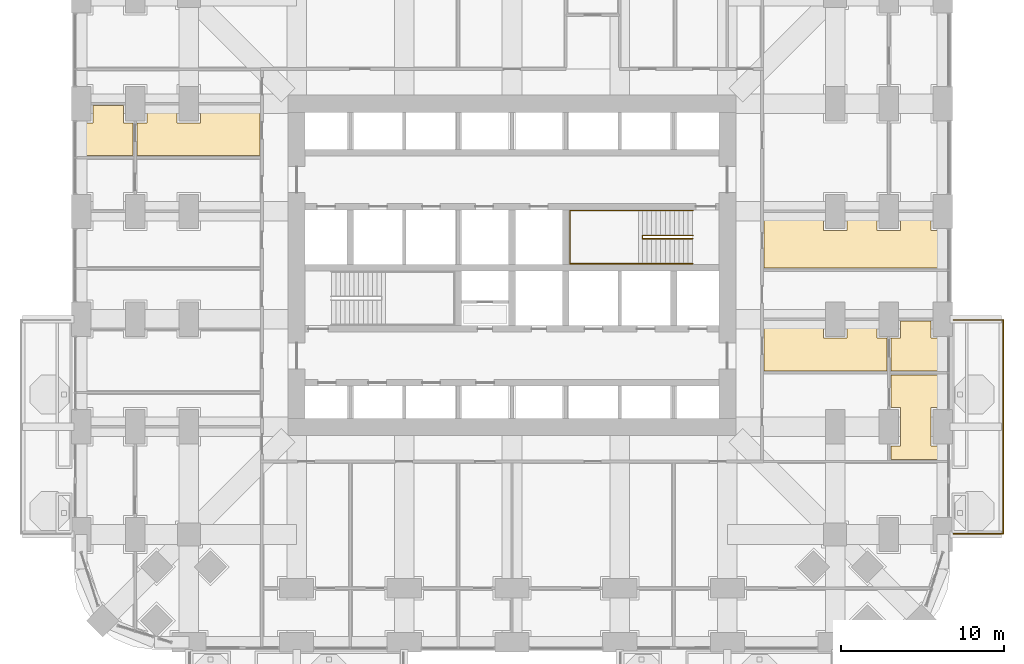
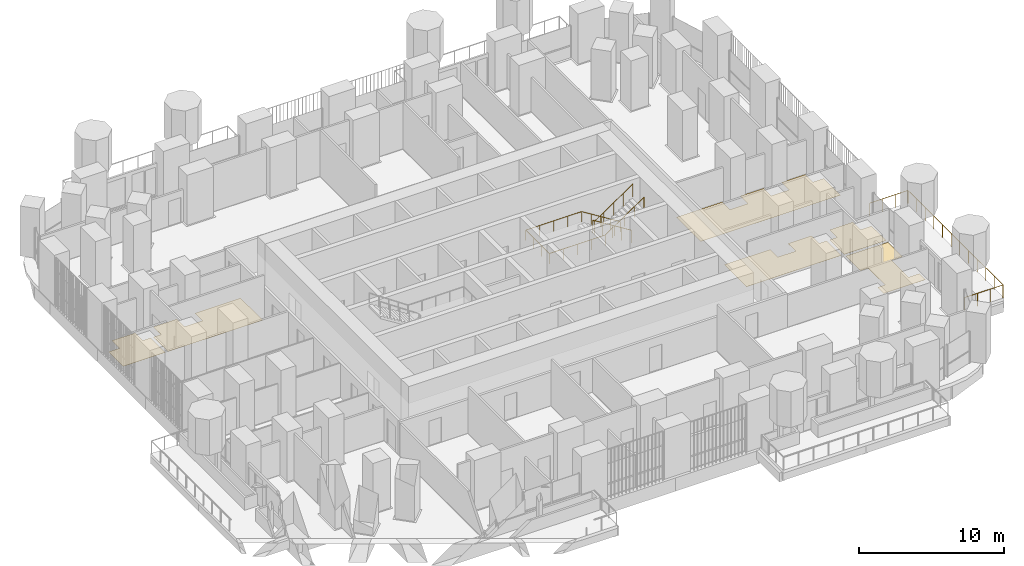
# One storey, part 25 of 27: 6 coverings, 3 railings.
"""IFC4 building model written with IfcOpenShell, lengths in metres."""

from ifc_helpers import new_model, si_unit, direction, frame, origin, place, context, subcontext, project, spatial, polyline, outline, extrude, material, layer, layer_set, type_object, element, save


model = new_model("IFC4")

# Units and contexts
model_context = context("Model", 3, precision=1e-05, world=origin(), true_north=direction((0.0, 1.0)))
body_context = subcontext(model_context, "Body", "Model", "MODEL_VIEW")
ifc_project = project(units=[si_unit("LENGTHUNIT", "METRE"), si_unit("AREAUNIT", "SQUARE_METRE"), si_unit("VOLUMEUNIT", "CUBIC_METRE"), si_unit("PLANEANGLEUNIT", "RADIAN"), si_unit("MASSUNIT", "GRAM", prefix="KILO")], contexts=[model_context])

# Site, building, storey
site_placement = place(None, origin())
site = spatial("IfcSite", under=ifc_project, at=site_placement, CompositionType="ELEMENT")
building_placement = place(site_placement, origin())
building = spatial("IfcBuilding", under=site, at=building_placement, Name="Cobogo Forest Laboratory Tower", CompositionType="ELEMENT")
storey_placement = place(building_placement, frame((0.0, 0.0, 38.10009765625)))
storey = spatial("IfcBuildingStorey", under=building, at=storey_placement, Name="L08", CompositionType="ELEMENT", Elevation=38.10009765625)

# Railing
ifc_material_1 = material(Name="Laminated glass balustrade", Category="glass")
railing_type_1 = type_object("IfcRailingType", Name="BG1 glass balustrade 1100", PredefinedType="GUARDRAIL", material=ifc_material_1)
railing_1_placement = place(storey_placement, frame((53.449951171875, 6.64990234375, 0.0)))
element("IfcRailing", 1, at=railing_1_placement, inside=storey, type_object=railing_type_1, Name="Balcony balustrade BAL-E1 L08", PredefinedType="GUARDRAIL", context=body_context, shape_type="SweptSolid", body=[
    extrude(outline(polyline([(0.022216796875, 0.00927734375), (0.00927734375, 0.022216796875), (-0.00927734375, 0.022216796875), (-0.022216796875, 0.00927734375), (-0.022216796875, -0.00927734375), (-0.00927734375, -0.022216796875), (0.00927734375, -0.022216796875), (0.022216796875, -0.00927734375), (0.022216796875, 0.00927734375)])), frame((0.0, 0.0, 1.077880859375), z_axis=(1.0, 0.0, 0.0), x_axis=(0.0, 1.0, 0.0)), (0.0, 0.0, 1.0), 3.050048828125),
    extrude(outline(polyline([(0.022216796875, 0.00927734375), (0.00927734375, 0.022216796875), (-0.00927734375, 0.022216796875), (-0.022216796875, 0.00927734375), (-0.022216796875, -0.00927734375), (-0.00927734375, -0.022216796875), (0.00927734375, -0.022216796875), (0.022216796875, -0.00927734375), (0.022216796875, 0.00927734375)])), frame((3.050048828125, 0.0, 1.077880859375), z_axis=(0.0, 1.0, 0.0), x_axis=(-1.0, 0.0, 0.0)), (0.0, 0.0, 1.0), 13.10009765625),
    extrude(outline(polyline([(0.022216796875, 0.00927734375), (0.00927734375, 0.022216796875), (-0.00927734375, 0.022216796875), (-0.022216796875, 0.00927734375), (-0.022216796875, -0.00927734375), (-0.00927734375, -0.022216796875), (0.00927734375, -0.022216796875), (0.022216796875, -0.00927734375), (0.022216796875, 0.00927734375)])), frame((3.050048828125, 13.10009765625, 1.077880859375), z_axis=(-1.0, 0.0, 0.0), x_axis=(0.0, -1.0, 0.0)), (0.0, 0.0, 1.0), 3.050048828125),
    extrude(outline(polyline([(0.019287109375, 0.008056640625), (0.008056640625, 0.019287109375), (-0.008056640625, 0.019287109375), (-0.019287109375, 0.008056640625), (-0.019287109375, -0.008056640625), (-0.008056640625, -0.019287109375), (0.008056640625, -0.019287109375), (0.019287109375, -0.008056640625), (0.019287109375, 0.008056640625)])), origin(), (0.0, 0.0, 1.0), 1.077880859375),
    extrude(outline(polyline([(0.019287109375, 0.008056640625), (0.008056640625, 0.019287109375), (-0.008056640625, 0.019287109375), (-0.019287109375, 0.008056640625), (-0.019287109375, -0.008056640625), (-0.008056640625, -0.019287109375), (0.008056640625, -0.019287109375), (0.019287109375, -0.008056640625), (0.019287109375, 0.008056640625)])), frame((1.0166015625, 0.0, 0.0)), (0.0, 0.0, 1.0), 1.077880859375),
    extrude(outline(polyline([(0.019287109375, 0.008056640625), (0.008056640625, 0.019287109375), (-0.008056640625, 0.019287109375), (-0.019287109375, 0.008056640625), (-0.019287109375, -0.008056640625), (-0.008056640625, -0.019287109375), (0.008056640625, -0.019287109375), (0.019287109375, -0.008056640625), (0.019287109375, 0.008056640625)])), frame((2.033447265625, 0.0, 0.0)), (0.0, 0.0, 1.0), 1.077880859375),
    extrude(outline(polyline([(0.019287109375, 0.008056640625), (0.008056640625, 0.019287109375), (-0.008056640625, 0.019287109375), (-0.019287109375, 0.008056640625), (-0.019287109375, -0.008056640625), (-0.008056640625, -0.019287109375), (0.008056640625, -0.019287109375), (0.019287109375, -0.008056640625), (0.019287109375, 0.008056640625)])), frame((3.050048828125, 0.0, 0.0)), (0.0, 0.0, 1.0), 1.077880859375),
    extrude(outline(polyline([(0.019287109375, 0.008056640625), (0.008056640625, 0.019287109375), (-0.008056640625, 0.019287109375), (-0.019287109375, 0.008056640625), (-0.019287109375, -0.008056640625), (-0.008056640625, -0.019287109375), (0.008056640625, -0.019287109375), (0.019287109375, -0.008056640625), (0.019287109375, 0.008056640625)])), frame((3.050048828125, 1.19091796875, 0.0)), (0.0, 0.0, 1.0), 1.077880859375),
    extrude(outline(polyline([(0.019287109375, 0.008056640625), (0.008056640625, 0.019287109375), (-0.008056640625, 0.019287109375), (-0.019287109375, 0.008056640625), (-0.019287109375, -0.008056640625), (-0.008056640625, -0.019287109375), (0.008056640625, -0.019287109375), (0.019287109375, -0.008056640625), (0.019287109375, 0.008056640625)])), frame((3.050048828125, 2.3818359375, 0.0)), (0.0, 0.0, 1.0), 1.077880859375),
    extrude(outline(polyline([(0.019287109375, 0.008056640625), (0.008056640625, 0.019287109375), (-0.008056640625, 0.019287109375), (-0.019287109375, 0.008056640625), (-0.019287109375, -0.008056640625), (-0.008056640625, -0.019287109375), (0.008056640625, -0.019287109375), (0.019287109375, -0.008056640625), (0.019287109375, 0.008056640625)])), frame((3.050048828125, 3.57275390625, 0.0)), (0.0, 0.0, 1.0), 1.077880859375),
    extrude(outline(polyline([(0.019287109375, 0.008056640625), (0.008056640625, 0.019287109375), (-0.008056640625, 0.019287109375), (-0.019287109375, 0.008056640625), (-0.019287109375, -0.008056640625), (-0.008056640625, -0.019287109375), (0.008056640625, -0.019287109375), (0.019287109375, -0.008056640625), (0.019287109375, 0.008056640625)])), frame((3.050048828125, 4.763671875, 0.0)), (0.0, 0.0, 1.0), 1.077880859375),
    extrude(outline(polyline([(0.019287109375, 0.008056640625), (0.008056640625, 0.019287109375), (-0.008056640625, 0.019287109375), (-0.019287109375, 0.008056640625), (-0.019287109375, -0.008056640625), (-0.008056640625, -0.019287109375), (0.008056640625, -0.019287109375), (0.019287109375, -0.008056640625), (0.019287109375, 0.008056640625)])), frame((3.050048828125, 5.95458984375, 0.0)), (0.0, 0.0, 1.0), 1.077880859375),
    extrude(outline(polyline([(0.019287109375, 0.008056640625), (0.008056640625, 0.019287109375), (-0.008056640625, 0.019287109375), (-0.019287109375, 0.008056640625), (-0.019287109375, -0.008056640625), (-0.008056640625, -0.019287109375), (0.008056640625, -0.019287109375), (0.019287109375, -0.008056640625), (0.019287109375, 0.008056640625)])), frame((3.050048828125, 7.1455078125, 0.0)), (0.0, 0.0, 1.0), 1.077880859375),
    extrude(outline(polyline([(0.019287109375, 0.008056640625), (0.008056640625, 0.019287109375), (-0.008056640625, 0.019287109375), (-0.019287109375, 0.008056640625), (-0.019287109375, -0.008056640625), (-0.008056640625, -0.019287109375), (0.008056640625, -0.019287109375), (0.019287109375, -0.008056640625), (0.019287109375, 0.008056640625)])), frame((3.050048828125, 8.33642578125, 0.0)), (0.0, 0.0, 1.0), 1.077880859375),
    extrude(outline(polyline([(0.019287109375, 0.008056640625), (0.008056640625, 0.019287109375), (-0.008056640625, 0.019287109375), (-0.019287109375, 0.008056640625), (-0.019287109375, -0.008056640625), (-0.008056640625, -0.019287109375), (0.008056640625, -0.019287109375), (0.019287109375, -0.008056640625), (0.019287109375, 0.008056640625)])), frame((3.050048828125, 9.52734375, 0.0)), (0.0, 0.0, 1.0), 1.077880859375),
    extrude(outline(polyline([(0.019287109375, 0.008056640625), (0.008056640625, 0.019287109375), (-0.008056640625, 0.019287109375), (-0.019287109375, 0.008056640625), (-0.019287109375, -0.008056640625), (-0.008056640625, -0.019287109375), (0.008056640625, -0.019287109375), (0.019287109375, -0.008056640625), (0.019287109375, 0.008056640625)])), frame((3.050048828125, 10.71826171875, 0.0)), (0.0, 0.0, 1.0), 1.077880859375),
    extrude(outline(polyline([(0.019287109375, 0.008056640625), (0.008056640625, 0.019287109375), (-0.008056640625, 0.019287109375), (-0.019287109375, 0.008056640625), (-0.019287109375, -0.008056640625), (-0.008056640625, -0.019287109375), (0.008056640625, -0.019287109375), (0.019287109375, -0.008056640625), (0.019287109375, 0.008056640625)])), frame((3.050048828125, 11.9091796875, 0.0)), (0.0, 0.0, 1.0), 1.077880859375),
    extrude(outline(polyline([(0.019287109375, 0.008056640625), (0.008056640625, 0.019287109375), (-0.008056640625, 0.019287109375), (-0.019287109375, 0.008056640625), (-0.019287109375, -0.008056640625), (-0.008056640625, -0.019287109375), (0.008056640625, -0.019287109375), (0.019287109375, -0.008056640625), (0.019287109375, 0.008056640625)])), frame((3.050048828125, 13.10009765625, 0.0)), (0.0, 0.0, 1.0), 1.077880859375),
    extrude(outline(polyline([(0.019287109375, 0.008056640625), (0.008056640625, 0.019287109375), (-0.008056640625, 0.019287109375), (-0.019287109375, 0.008056640625), (-0.019287109375, -0.008056640625), (-0.008056640625, -0.019287109375), (0.008056640625, -0.019287109375), (0.019287109375, -0.008056640625), (0.019287109375, 0.008056640625)])), frame((2.033447265625, 13.10009765625, 0.0)), (0.0, 0.0, 1.0), 1.077880859375),
    extrude(outline(polyline([(0.019287109375, 0.008056640625), (0.008056640625, 0.019287109375), (-0.008056640625, 0.019287109375), (-0.019287109375, 0.008056640625), (-0.019287109375, -0.008056640625), (-0.008056640625, -0.019287109375), (0.008056640625, -0.019287109375), (0.019287109375, -0.008056640625), (0.019287109375, 0.008056640625)])), frame((1.0166015625, 13.10009765625, 0.0)), (0.0, 0.0, 1.0), 1.077880859375),
    extrude(outline(polyline([(0.019287109375, 0.008056640625), (0.008056640625, 0.019287109375), (-0.008056640625, 0.019287109375), (-0.019287109375, 0.008056640625), (-0.019287109375, -0.008056640625), (-0.008056640625, -0.019287109375), (0.008056640625, -0.019287109375), (0.019287109375, -0.008056640625), (0.019287109375, 0.008056640625)])), frame((0.0, 13.10009765625, 0.0)), (0.0, 0.0, 1.0), 1.077880859375),
])

# Coverings
ifc_material_2 = material(Name="Carpet tile on raised access floor", Category="flooring")
ifc_layer_1 = layer(ifc_material_2, 0.008056640625)
ifc_layer_set_1 = layer_set([ifc_layer_1], Name="CT1 carpet tile floor 8")
covering_type_1 = type_object("IfcCoveringType", Name="CT1 carpet tile floor 8", PredefinedType="FLOORING", material=ifc_layer_set_1)
covering_1_placement = place(storey_placement, origin())
element("IfcCovering", 2, at=covering_1_placement, inside=storey, type_object=covering_type_1, Name="Carpet floor L08-12", PredefinedType="FLOORING", context=body_context, shape_type="SweptSolid", body=[
    extrude(outline(polyline([(49.6201171875, 12.030029296875), (50.219970703125, 12.030029296875), (50.219970703125, 14.3701171875), (49.6201171875, 14.3701171875), (49.6201171875, 16.3798828125), (52.949951171875, 16.3798828125), (52.949951171875, 14.3701171875), (52.080078125, 14.3701171875), (52.080078125, 12.030029296875), (52.949951171875, 12.030029296875), (52.949951171875, 11.195068359375), (49.6201171875, 11.195068359375), (49.6201171875, 12.030029296875)])), origin(), (0.0, 0.0, 1.0), 0.0078125),
])
covering_2_placement = place(storey_placement, origin())
element("IfcCovering", 3, at=covering_2_placement, inside=storey, type_object=covering_type_1, Name="Carpet floor L08-14", PredefinedType="FLOORING", context=body_context, shape_type="SweptSolid", body=[
    extrude(outline(polyline([(49.6201171875, 18.6298828125), (50.219970703125, 18.6298828125), (50.219970703125, 19.679931640625), (52.080078125, 19.679931640625), (52.080078125, 18.6298828125), (52.949951171875, 18.6298828125), (52.949951171875, 16.6201171875), (49.6201171875, 16.6201171875), (49.6201171875, 18.6298828125)])), origin(), (0.0, 0.0, 1.0), 0.0078125),
])
covering_3_placement = place(storey_placement, origin())
element("IfcCovering", 4, at=covering_3_placement, inside=storey, type_object=covering_type_1, Name="Carpet floor L08-37", PredefinedType="FLOORING", context=body_context, shape_type="SweptSolid", body=[
    extrude(outline(polyline([(3.179931640625, 29.820068359375), (-0.14990234375, 29.820068359375), (-0.14990234375, 31.830078125), (0.719970703125, 31.830078125), (0.719970703125, 32.8798828125), (2.580078125, 32.8798828125), (2.580078125, 31.830078125), (3.179931640625, 31.830078125), (3.179931640625, 29.820068359375)])), origin(), (0.0, 0.0, 1.0), 0.0078125),
])

# Railings
ifc_material_3 = material(Name="Steel balustrade", Category="steel")
railing_type_2 = type_object("IfcRailingType", Name="GR stair guard 1100", PredefinedType="GUARDRAIL", material=ifc_material_3)
railing_2_placement = place(storey_placement, frame((37.47509765625, 24.929931640625, 0.1748046875)))
element("IfcRailing", 5, at=railing_2_placement, inside=storey, type_object=railing_type_2, Name="Stair guard ST2 L08", PredefinedType="GUARDRAIL", context=body_context, shape_type="SweptSolid", body=[
    extrude(outline(polyline([(0.022216796875, 0.00927734375), (0.00927734375, 0.022216796875), (-0.00927734375, 0.022216796875), (-0.022216796875, 0.00927734375), (-0.022216796875, -0.00927734375), (-0.00927734375, -0.022216796875), (0.00927734375, -0.022216796875), (0.022216796875, -0.00927734375), (0.022216796875, 0.00927734375)])), frame((0.0, 0.0, 1.077880859375), z_axis=(-0.847998304005, 0.0, 0.529998940003), x_axis=(0.0, -1.0, 0.0)), (0.0, 0.0, 1.0), 3.632080078125),
    extrude(outline(polyline([(0.022216796875, 0.00927734375), (0.00927734375, 0.022216796875), (-0.00927734375, 0.022216796875), (-0.022216796875, 0.00927734375), (-0.022216796875, -0.00927734375), (-0.00927734375, -0.022216796875), (0.00927734375, -0.022216796875), (0.022216796875, -0.00927734375), (0.022216796875, 0.00927734375)])), frame((-3.080078125, 0.0, 3.0029296875), z_axis=(0.0, -1.0, 0.0), x_axis=(1.0, 0.0, 0.0)), (0.0, 0.0, 1.0), 0.2099609375),
    extrude(outline(polyline([(0.022216796875, 0.00927734375), (0.00927734375, 0.022216796875), (-0.00927734375, 0.022216796875), (-0.022216796875, 0.00927734375), (-0.022216796875, -0.00927734375), (-0.00927734375, -0.022216796875), (0.00927734375, -0.022216796875), (0.022216796875, -0.00927734375), (0.022216796875, 0.00927734375)])), frame((-3.080078125, -0.2099609375, 3.0029296875), z_axis=(0.826221800596, 0.0, 0.563344953133), x_axis=(0.0, 1.0, 0.0)), (0.0, 0.0, 1.0), 3.72802734375),
    extrude(outline(polyline([(0.019287109375, 0.008056640625), (0.008056640625, 0.019287109375), (-0.008056640625, 0.019287109375), (-0.019287109375, 0.008056640625), (-0.019287109375, -0.008056640625), (-0.008056640625, -0.019287109375), (0.008056640625, -0.019287109375), (0.019287109375, -0.008056640625), (0.019287109375, 0.008056640625)])), origin(), (0.0, 0.0, 1.0), 1.077880859375),
    extrude(outline(polyline([(0.019287109375, 0.008056640625), (0.008056640625, 0.019287109375), (-0.008056640625, 0.019287109375), (-0.019287109375, 0.008056640625), (-0.019287109375, -0.008056640625), (-0.008056640625, -0.019287109375), (0.008056640625, -0.019287109375), (0.019287109375, -0.008056640625), (0.019287109375, 0.008056640625)])), frame((-0.77001953125, 0.0, 0.481201171875)), (0.0, 0.0, 1.0), 1.077880859375),
    extrude(outline(polyline([(0.019287109375, 0.008056640625), (0.008056640625, 0.019287109375), (-0.008056640625, 0.019287109375), (-0.019287109375, 0.008056640625), (-0.019287109375, -0.008056640625), (-0.008056640625, -0.019287109375), (0.008056640625, -0.019287109375), (0.019287109375, -0.008056640625), (0.019287109375, 0.008056640625)])), frame((-1.5400390625, 0.0, 0.96240234375)), (0.0, 0.0, 1.0), 1.077880859375),
    extrude(outline(polyline([(0.019287109375, 0.008056640625), (0.008056640625, 0.019287109375), (-0.008056640625, 0.019287109375), (-0.019287109375, 0.008056640625), (-0.019287109375, -0.008056640625), (-0.008056640625, -0.019287109375), (0.008056640625, -0.019287109375), (0.019287109375, -0.008056640625), (0.019287109375, 0.008056640625)])), frame((-2.31005859375, 0.0, 1.44384765625)), (0.0, 0.0, 1.0), 1.077880859375),
    extrude(outline(polyline([(0.019287109375, 0.008056640625), (0.008056640625, 0.019287109375), (-0.008056640625, 0.019287109375), (-0.019287109375, 0.008056640625), (-0.019287109375, -0.008056640625), (-0.008056640625, -0.019287109375), (0.008056640625, -0.019287109375), (0.019287109375, -0.008056640625), (0.019287109375, 0.008056640625)])), frame((-3.080078125, 0.0, 1.925048828125)), (0.0, 0.0, 1.0), 1.077880859375),
    extrude(outline(polyline([(0.019287109375, 0.008056640625), (0.008056640625, 0.019287109375), (-0.008056640625, 0.019287109375), (-0.019287109375, 0.008056640625), (-0.019287109375, -0.008056640625), (-0.008056640625, -0.019287109375), (0.008056640625, -0.019287109375), (0.019287109375, -0.008056640625), (0.019287109375, 0.008056640625)])), frame((-3.080078125, -0.2099609375, 1.925048828125)), (0.0, 0.0, 1.0), 1.077880859375),
    extrude(outline(polyline([(0.019287109375, 0.008056640625), (0.008056640625, 0.019287109375), (-0.008056640625, 0.019287109375), (-0.019287109375, 0.008056640625), (-0.019287109375, -0.008056640625), (-0.008056640625, -0.019287109375), (0.008056640625, -0.019287109375), (0.019287109375, -0.008056640625), (0.019287109375, 0.008056640625)])), frame((-2.31005859375, -0.2099609375, 2.4501953125)), (0.0, 0.0, 1.0), 1.077880859375),
    extrude(outline(polyline([(0.019287109375, 0.008056640625), (0.008056640625, 0.019287109375), (-0.008056640625, 0.019287109375), (-0.019287109375, 0.008056640625), (-0.019287109375, -0.008056640625), (-0.008056640625, -0.019287109375), (0.008056640625, -0.019287109375), (0.019287109375, -0.008056640625), (0.019287109375, 0.008056640625)])), frame((-1.5400390625, -0.2099609375, 2.97509765625)), (0.0, 0.0, 1.0), 1.077880859375),
    extrude(outline(polyline([(0.019287109375, 0.008056640625), (0.008056640625, 0.019287109375), (-0.008056640625, 0.019287109375), (-0.019287109375, 0.008056640625), (-0.019287109375, -0.008056640625), (-0.008056640625, -0.019287109375), (0.008056640625, -0.019287109375), (0.019287109375, -0.008056640625), (0.019287109375, 0.008056640625)])), frame((-0.77001953125, -0.2099609375, 3.5)), (0.0, 0.0, 1.0), 1.077880859375),
    extrude(outline(polyline([(0.019287109375, 0.008056640625), (0.008056640625, 0.019287109375), (-0.008056640625, 0.019287109375), (-0.019287109375, 0.008056640625), (-0.019287109375, -0.008056640625), (-0.008056640625, -0.019287109375), (0.008056640625, -0.019287109375), (0.019287109375, -0.008056640625), (0.019287109375, 0.008056640625)])), frame((0.0, -0.2099609375, 4.025146484375)), (0.0, 0.0, 1.0), 1.077880859375),
])
ifc_material_4 = material(Name="Stainless steel handrail", Category="steel")
railing_type_3 = type_object("IfcRailingType", Name="HR handrail 900", PredefinedType="HANDRAIL", material=ifc_material_4)
railing_3_placement = place(storey_placement, frame((37.47509765625, 26.449951171875, 0.1748046875)))
element("IfcRailing", 6, at=railing_3_placement, inside=storey, type_object=railing_type_3, Name="Stair handrail ST2 L08", PredefinedType="HANDRAIL", context=body_context, shape_type="SweptSolid", body=[
    extrude(outline(polyline([(0.022216796875, 0.00927734375), (0.00927734375, 0.022216796875), (-0.00927734375, 0.022216796875), (-0.022216796875, 0.00927734375), (-0.022216796875, -0.00927734375), (-0.00927734375, -0.022216796875), (0.00927734375, -0.022216796875), (0.022216796875, -0.00927734375), (0.022216796875, 0.00927734375)])), frame((0.0, 0.0, 0.877685546875), z_axis=(-0.847998304005, 0.0, 0.529998940003), x_axis=(0.0, -1.0, 0.0)), (0.0, 0.0, 1.0), 3.632080078125),
    extrude(outline(polyline([(0.022216796875, 0.00927734375), (0.00927734375, 0.022216796875), (-0.00927734375, 0.022216796875), (-0.022216796875, 0.00927734375), (-0.022216796875, -0.00927734375), (-0.00927734375, -0.022216796875), (0.00927734375, -0.022216796875), (0.022216796875, -0.00927734375), (0.022216796875, 0.00927734375)])), frame((-3.080078125, 0.0, 2.802734375), z_axis=(-1.0, 0.0, 0.0), x_axis=(0.0, -1.0, 0.0)), (0.0, 0.0, 1.0), 4.445068359375),
    extrude(outline(polyline([(0.022216796875, 0.00927734375), (0.00927734375, 0.022216796875), (-0.00927734375, 0.022216796875), (-0.022216796875, 0.00927734375), (-0.022216796875, -0.00927734375), (-0.00927734375, -0.022216796875), (0.00927734375, -0.022216796875), (0.022216796875, -0.00927734375), (0.022216796875, 0.00927734375)])), frame((-7.525146484375, 0.0, 2.802734375), z_axis=(0.0, -1.0, 0.0), x_axis=(1.0, 0.0, 0.0)), (0.0, 0.0, 1.0), 3.25),
    extrude(outline(polyline([(0.022216796875, 0.00927734375), (0.00927734375, 0.022216796875), (-0.00927734375, 0.022216796875), (-0.022216796875, 0.00927734375), (-0.022216796875, -0.00927734375), (-0.00927734375, -0.022216796875), (0.00927734375, -0.022216796875), (0.022216796875, -0.00927734375), (0.022216796875, 0.00927734375)])), frame((-7.525146484375, -3.25, 2.802734375), z_axis=(1.0, 0.0, 0.0), x_axis=(0.0, 1.0, 0.0)), (0.0, 0.0, 1.0), 4.445068359375),
    extrude(outline(polyline([(0.022216796875, 0.00927734375), (0.00927734375, 0.022216796875), (-0.00927734375, 0.022216796875), (-0.022216796875, 0.00927734375), (-0.022216796875, -0.00927734375), (-0.00927734375, -0.022216796875), (0.00927734375, -0.022216796875), (0.022216796875, -0.00927734375), (0.022216796875, 0.00927734375)])), frame((-3.080078125, -3.25, 2.802734375), z_axis=(0.826221800596, 0.0, 0.563344953133), x_axis=(0.0, 1.0, 0.0)), (0.0, 0.0, 1.0), 3.72802734375),
    extrude(outline(polyline([(0.019287109375, 0.008056640625), (0.008056640625, 0.019287109375), (-0.008056640625, 0.019287109375), (-0.019287109375, 0.008056640625), (-0.019287109375, -0.008056640625), (-0.008056640625, -0.019287109375), (0.008056640625, -0.019287109375), (0.019287109375, -0.008056640625), (0.019287109375, 0.008056640625)])), origin(), (0.0, 0.0, 1.0), 0.877685546875),
    extrude(outline(polyline([(0.019287109375, 0.008056640625), (0.008056640625, 0.019287109375), (-0.008056640625, 0.019287109375), (-0.019287109375, 0.008056640625), (-0.019287109375, -0.008056640625), (-0.008056640625, -0.019287109375), (0.008056640625, -0.019287109375), (0.019287109375, -0.008056640625), (0.019287109375, 0.008056640625)])), frame((-0.77001953125, 0.0, 0.481201171875)), (0.0, 0.0, 1.0), 0.877685546875),
    extrude(outline(polyline([(0.019287109375, 0.008056640625), (0.008056640625, 0.019287109375), (-0.008056640625, 0.019287109375), (-0.019287109375, 0.008056640625), (-0.019287109375, -0.008056640625), (-0.008056640625, -0.019287109375), (0.008056640625, -0.019287109375), (0.019287109375, -0.008056640625), (0.019287109375, 0.008056640625)])), frame((-1.5400390625, 0.0, 0.96240234375)), (0.0, 0.0, 1.0), 0.877685546875),
    extrude(outline(polyline([(0.019287109375, 0.008056640625), (0.008056640625, 0.019287109375), (-0.008056640625, 0.019287109375), (-0.019287109375, 0.008056640625), (-0.019287109375, -0.008056640625), (-0.008056640625, -0.019287109375), (0.008056640625, -0.019287109375), (0.019287109375, -0.008056640625), (0.019287109375, 0.008056640625)])), frame((-2.31005859375, 0.0, 1.44384765625)), (0.0, 0.0, 1.0), 0.877685546875),
    extrude(outline(polyline([(0.019287109375, 0.008056640625), (0.008056640625, 0.019287109375), (-0.008056640625, 0.019287109375), (-0.019287109375, 0.008056640625), (-0.019287109375, -0.008056640625), (-0.008056640625, -0.019287109375), (0.008056640625, -0.019287109375), (0.019287109375, -0.008056640625), (0.019287109375, 0.008056640625)])), frame((-3.080078125, 0.0, 1.925048828125)), (0.0, 0.0, 1.0), 0.877685546875),
    extrude(outline(polyline([(0.019287109375, 0.008056640625), (0.008056640625, 0.019287109375), (-0.008056640625, 0.019287109375), (-0.019287109375, 0.008056640625), (-0.019287109375, -0.008056640625), (-0.008056640625, -0.019287109375), (0.008056640625, -0.019287109375), (0.019287109375, -0.008056640625), (0.019287109375, 0.008056640625)])), frame((-4.19140625, 0.0, 1.925048828125)), (0.0, 0.0, 1.0), 0.877685546875),
    extrude(outline(polyline([(0.019287109375, 0.008056640625), (0.008056640625, 0.019287109375), (-0.008056640625, 0.019287109375), (-0.019287109375, 0.008056640625), (-0.019287109375, -0.008056640625), (-0.008056640625, -0.019287109375), (0.008056640625, -0.019287109375), (0.019287109375, -0.008056640625), (0.019287109375, 0.008056640625)])), frame((-5.302734375, 0.0, 1.925048828125)), (0.0, 0.0, 1.0), 0.877685546875),
    extrude(outline(polyline([(0.019287109375, 0.008056640625), (0.008056640625, 0.019287109375), (-0.008056640625, 0.019287109375), (-0.019287109375, 0.008056640625), (-0.019287109375, -0.008056640625), (-0.008056640625, -0.019287109375), (0.008056640625, -0.019287109375), (0.019287109375, -0.008056640625), (0.019287109375, 0.008056640625)])), frame((-6.413818359375, 0.0, 1.925048828125)), (0.0, 0.0, 1.0), 0.877685546875),
    extrude(outline(polyline([(0.019287109375, 0.008056640625), (0.008056640625, 0.019287109375), (-0.008056640625, 0.019287109375), (-0.019287109375, 0.008056640625), (-0.019287109375, -0.008056640625), (-0.008056640625, -0.019287109375), (0.008056640625, -0.019287109375), (0.019287109375, -0.008056640625), (0.019287109375, 0.008056640625)])), frame((-7.525146484375, 0.0, 1.925048828125)), (0.0, 0.0, 1.0), 0.877685546875),
    extrude(outline(polyline([(0.019287109375, 0.008056640625), (0.008056640625, 0.019287109375), (-0.008056640625, 0.019287109375), (-0.019287109375, 0.008056640625), (-0.019287109375, -0.008056640625), (-0.008056640625, -0.019287109375), (0.008056640625, -0.019287109375), (0.019287109375, -0.008056640625), (0.019287109375, 0.008056640625)])), frame((-7.525146484375, -1.083251953125, 1.925048828125)), (0.0, 0.0, 1.0), 0.877685546875),
    extrude(outline(polyline([(0.019287109375, 0.008056640625), (0.008056640625, 0.019287109375), (-0.008056640625, 0.019287109375), (-0.019287109375, 0.008056640625), (-0.019287109375, -0.008056640625), (-0.008056640625, -0.019287109375), (0.008056640625, -0.019287109375), (0.019287109375, -0.008056640625), (0.019287109375, 0.008056640625)])), frame((-7.525146484375, -2.166748046875, 1.925048828125)), (0.0, 0.0, 1.0), 0.877685546875),
    extrude(outline(polyline([(0.019287109375, 0.008056640625), (0.008056640625, 0.019287109375), (-0.008056640625, 0.019287109375), (-0.019287109375, 0.008056640625), (-0.019287109375, -0.008056640625), (-0.008056640625, -0.019287109375), (0.008056640625, -0.019287109375), (0.019287109375, -0.008056640625), (0.019287109375, 0.008056640625)])), frame((-7.525146484375, -3.25, 1.925048828125)), (0.0, 0.0, 1.0), 0.877685546875),
    extrude(outline(polyline([(0.019287109375, 0.008056640625), (0.008056640625, 0.019287109375), (-0.008056640625, 0.019287109375), (-0.019287109375, 0.008056640625), (-0.019287109375, -0.008056640625), (-0.008056640625, -0.019287109375), (0.008056640625, -0.019287109375), (0.019287109375, -0.008056640625), (0.019287109375, 0.008056640625)])), frame((-6.413818359375, -3.25, 1.925048828125)), (0.0, 0.0, 1.0), 0.877685546875),
    extrude(outline(polyline([(0.019287109375, 0.008056640625), (0.008056640625, 0.019287109375), (-0.008056640625, 0.019287109375), (-0.019287109375, 0.008056640625), (-0.019287109375, -0.008056640625), (-0.008056640625, -0.019287109375), (0.008056640625, -0.019287109375), (0.019287109375, -0.008056640625), (0.019287109375, 0.008056640625)])), frame((-5.302734375, -3.25, 1.925048828125)), (0.0, 0.0, 1.0), 0.877685546875),
    extrude(outline(polyline([(0.019287109375, 0.008056640625), (0.008056640625, 0.019287109375), (-0.008056640625, 0.019287109375), (-0.019287109375, 0.008056640625), (-0.019287109375, -0.008056640625), (-0.008056640625, -0.019287109375), (0.008056640625, -0.019287109375), (0.019287109375, -0.008056640625), (0.019287109375, 0.008056640625)])), frame((-4.19140625, -3.25, 1.925048828125)), (0.0, 0.0, 1.0), 0.877685546875),
    extrude(outline(polyline([(0.019287109375, 0.008056640625), (0.008056640625, 0.019287109375), (-0.008056640625, 0.019287109375), (-0.019287109375, 0.008056640625), (-0.019287109375, -0.008056640625), (-0.008056640625, -0.019287109375), (0.008056640625, -0.019287109375), (0.019287109375, -0.008056640625), (0.019287109375, 0.008056640625)])), frame((-3.080078125, -3.25, 1.925048828125)), (0.0, 0.0, 1.0), 0.877685546875),
    extrude(outline(polyline([(0.019287109375, 0.008056640625), (0.008056640625, 0.019287109375), (-0.008056640625, 0.019287109375), (-0.019287109375, 0.008056640625), (-0.019287109375, -0.008056640625), (-0.008056640625, -0.019287109375), (0.008056640625, -0.019287109375), (0.019287109375, -0.008056640625), (0.019287109375, 0.008056640625)])), frame((-2.31005859375, -3.25, 2.4501953125)), (0.0, 0.0, 1.0), 0.877685546875),
    extrude(outline(polyline([(0.019287109375, 0.008056640625), (0.008056640625, 0.019287109375), (-0.008056640625, 0.019287109375), (-0.019287109375, 0.008056640625), (-0.019287109375, -0.008056640625), (-0.008056640625, -0.019287109375), (0.008056640625, -0.019287109375), (0.019287109375, -0.008056640625), (0.019287109375, 0.008056640625)])), frame((-1.5400390625, -3.25, 2.97509765625)), (0.0, 0.0, 1.0), 0.877685546875),
    extrude(outline(polyline([(0.019287109375, 0.008056640625), (0.008056640625, 0.019287109375), (-0.008056640625, 0.019287109375), (-0.019287109375, 0.008056640625), (-0.019287109375, -0.008056640625), (-0.008056640625, -0.019287109375), (0.008056640625, -0.019287109375), (0.019287109375, -0.008056640625), (0.019287109375, 0.008056640625)])), frame((-0.77001953125, -3.25, 3.5)), (0.0, 0.0, 1.0), 0.877685546875),
    extrude(outline(polyline([(0.019287109375, 0.008056640625), (0.008056640625, 0.019287109375), (-0.008056640625, 0.019287109375), (-0.019287109375, 0.008056640625), (-0.019287109375, -0.008056640625), (-0.008056640625, -0.019287109375), (0.008056640625, -0.019287109375), (0.019287109375, -0.008056640625), (0.019287109375, 0.008056640625)])), frame((0.0, -3.25, 4.025146484375)), (0.0, 0.0, 1.0), 0.877685546875),
])

# Coverings
ifc_material_5 = material(Name="Epoxy resin flooring", Category="flooring")
ifc_layer_2 = layer(ifc_material_5, 0.00390625)
ifc_layer_set_2 = layer_set([ifc_layer_2], Name="LF1 epoxy laboratory floor 4")
covering_type_2 = type_object("IfcCoveringType", Name="LF1 epoxy laboratory floor 4", PredefinedType="FLOORING", material=ifc_layer_set_2)
covering_4_placement = place(storey_placement, origin())
element("IfcCovering", 7, at=covering_4_placement, inside=storey, type_object=covering_type_2, Name="Epoxy laboratory floor L08-36", PredefinedType="FLOORING", context=body_context, shape_type="SweptSolid", body=[
    extrude(outline(polyline([(3.419921875, 31.830078125), (4.02001953125, 31.830078125), (4.02001953125, 32.8798828125), (5.8798828125, 32.8798828125), (5.8798828125, 31.830078125), (7.320068359375, 31.830078125), (7.320068359375, 32.8798828125), (10.955078125, 32.8798828125), (10.955078125, 29.820068359375), (3.419921875, 29.820068359375), (3.419921875, 31.830078125)])), origin(), (0.0, 0.0, 1.0), 0.00390625),
])
ifc_material_6 = material(Name="Static-dissipative vinyl flooring", Category="flooring")
ifc_layer_3 = layer(ifc_material_6, 0.0029296875)
ifc_layer_set_3 = layer_set([ifc_layer_3], Name="SD1 static-dissipative vinyl floor 3")
covering_type_3 = type_object("IfcCoveringType", Name="SD1 static-dissipative vinyl floor 3", PredefinedType="FLOORING", material=ifc_layer_set_3)
covering_5_placement = place(storey_placement, origin())
element("IfcCovering", 8, at=covering_5_placement, inside=storey, type_object=covering_type_3, Name="Static-dissipative floor L08-16", PredefinedType="FLOORING", context=body_context, shape_type="SweptSolid", body=[
    extrude(outline(polyline([(41.844970703125, 26.280029296875), (45.47998046875, 26.280029296875), (45.47998046875, 25.22998046875), (46.919921875, 25.22998046875), (46.919921875, 26.280029296875), (48.780029296875, 26.280029296875), (48.780029296875, 25.22998046875), (50.219970703125, 25.22998046875), (50.219970703125, 26.280029296875), (52.080078125, 26.280029296875), (52.080078125, 25.22998046875), (52.949951171875, 25.22998046875), (52.949951171875, 22.919921875), (41.844970703125, 22.919921875), (41.844970703125, 26.280029296875)])), origin(), (0.0, 0.0, 1.0), 0.0029296875),
])
ifc_material_7 = material(Name="Ceramic floor tile", Category="flooring")
ifc_layer_4 = layer(ifc_material_7, 0.010009765625)
ifc_layer_set_4 = layer_set([ifc_layer_4], Name="TF1 ceramic tile floor 10")
covering_type_4 = type_object("IfcCoveringType", Name="TF1 ceramic tile floor 10", PredefinedType="FLOORING", material=ifc_layer_set_4)
covering_6_placement = place(storey_placement, origin())
element("IfcCovering", 9, at=covering_6_placement, inside=storey, type_object=covering_type_4, Name="Tile floor L08-13", PredefinedType="FLOORING", context=body_context, shape_type="SweptSolid", body=[
    extrude(outline(polyline([(41.844970703125, 19.679931640625), (45.47998046875, 19.679931640625), (45.47998046875, 18.6298828125), (46.919921875, 18.6298828125), (46.919921875, 19.679931640625), (48.780029296875, 19.679931640625), (48.780029296875, 18.6298828125), (49.3798828125, 18.6298828125), (49.3798828125, 16.6201171875), (41.844970703125, 16.6201171875), (41.844970703125, 19.679931640625)])), origin(), (0.0, 0.0, 1.0), 0.010009765625),
])

save(model, "model.ifc")
